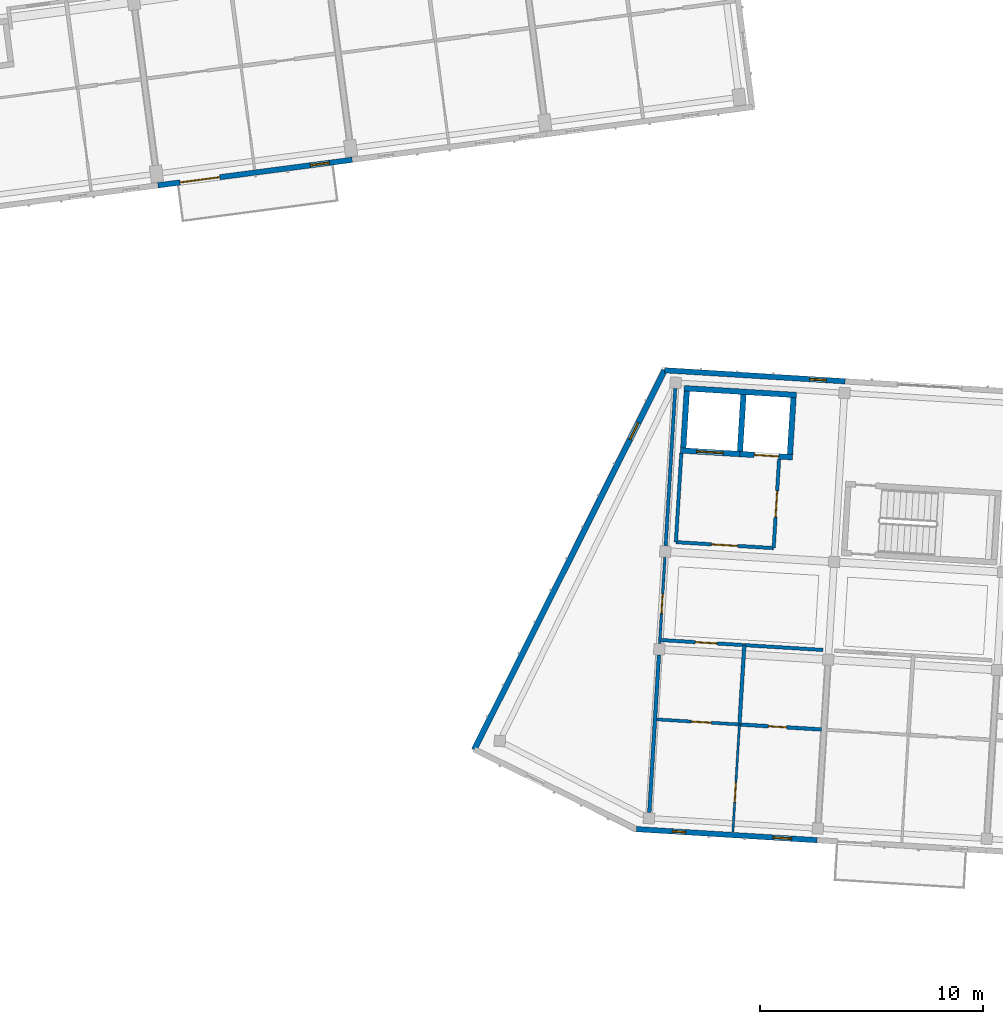
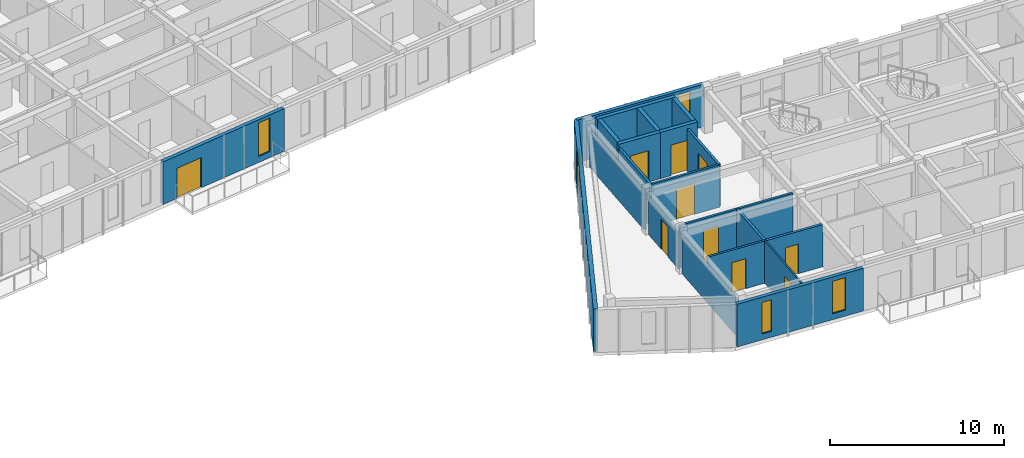
# One storey, part 19 of 74: 21 walls, 10 doors, 5 windows, 15 openings.
"""IFC4 building model written with IfcOpenShell, lengths in metres."""

from ifc_helpers import new_model, si_unit, direction, frame, frame_2d, origin, place, context, subcontext, project, spatial, rectangle, extrude, material, layer, layer_set, type_object, element, fill, save


model = new_model("IFC4")

# Units and contexts
model_context = context("Model", 3, precision=1e-05, world=origin(), true_north=direction((0.0, 1.0)))
body_context = subcontext(model_context, "Body", "Model", "MODEL_VIEW")
ifc_project = project(units=[si_unit("LENGTHUNIT", "METRE"), si_unit("AREAUNIT", "SQUARE_METRE"), si_unit("VOLUMEUNIT", "CUBIC_METRE"), si_unit("PLANEANGLEUNIT", "RADIAN"), si_unit("MASSUNIT", "GRAM", prefix="KILO")], contexts=[model_context])

# Site, building, storey
site_placement = place(None, origin())
site = spatial("IfcSite", under=ifc_project, at=site_placement, CompositionType="ELEMENT")
building_placement = place(site_placement, origin())
building = spatial("IfcBuilding", under=site, at=building_placement, Name="Kestramere Prow Commons", CompositionType="ELEMENT")
storey_placement = place(building_placement, frame((0.0, 0.0, 11.64990234375)))
storey = spatial("IfcBuildingStorey", under=building, at=storey_placement, Name="L03", CompositionType="ELEMENT", Elevation=11.64990234375)

# Wall, opening, window
ifc_material_1 = material(Name="Weathered Zinc-Titanium Standing-Seam Cladding")
ifc_layer_1 = layer(ifc_material_1, 0.260009765625)
ifc_layer_set_1 = layer_set([ifc_layer_1], Name="Weathered Zinc-Titanium Standing-Seam Cladding")
wall_type_1 = type_object("IfcWallType", Name="EW-PROW-260", PredefinedType="SOLIDWALL", material=ifc_layer_set_1)
wall_1_placement = place(storey_placement, frame((51.653564453125, 49.584716796875, 0.0), z_axis=(0.0, 0.0, 1.0), x_axis=(0.448621989068, 0.893721607059, 0.0)))
wall_1 = element("IfcWall", 1, at=wall_1_placement, inside=storey, type_object=wall_type_1, Name="Block C L03 PRW-N Facet Wall", PredefinedType="SOLIDWALL", context=body_context, shape_type="SweptSolid", body=[
    extrude(rectangle(XDim=19.060546875, YDim=0.260009765625, at=frame_2d((9.5302734375, 0.0))), origin(), (0.0, 0.0, 1.0), 3.0),
])
opening_1_placement = place(wall_1_placement, frame((15.59033203125, 0.0, 0.449951171875)))
opening_1 = element("IfcOpeningElement", 2, at=opening_1_placement, cuts=wall_1, Name="Opening WN-14", PredefinedType="OPENING", context=body_context, shape_type="SweptSolid", body=[
    extrude(rectangle(XDim=0.840087890625, YDim=2.280029296875, at=frame_2d((0.419921875, 1.14013671875))), frame((0.0, 0.14501953125, 0.0), z_axis=(0.0, -1.0, 0.0), x_axis=(1.0, 0.0, 0.0)), (0.0, 0.0, 1.0), 0.2900390625),
])
ifc_material_2 = material(Name="Low-E Laminated Double Glazing", Category="glass")
window_type_1 = type_object("IfcWindowType", Name="WN-NAR-840A", PartitioningType="DOUBLE_PANEL_VERTICAL", PredefinedType="WINDOW", material=ifc_material_2)
window_1_placement = place(opening_1_placement, origin())
window_1 = element("IfcWindow", 3, at=window_1_placement, inside=storey, type_object=window_type_1, Name="WN-C-L03-PRW-N-1", OverallHeight=2.280029296875, OverallWidth=0.840087890625, PartitioningType="SINGLE_PANEL", PredefinedType="WINDOW", context=body_context, shape_type="SweptSolid", body=[
    extrude(rectangle(XDim=0.840087890625, YDim=2.280029296875, at=frame_2d((0.419921875, 1.14013671875))), frame((0.0, 0.030029296875, 0.0), z_axis=(0.0, -1.0, 0.0), x_axis=(1.0, 0.0, 0.0)), (0.0, 0.0, 1.0), 0.06005859375),
])
fill(opening_1, window_1)

# Wall, openings, door, window
ifc_material_3 = material(Name="Fluoropolymer Standing-Seam Zinc-Aluminium Cladding", Category="aluminium")
ifc_layer_2 = layer(ifc_material_3, 0.239990234375)
ifc_layer_set_2 = layer_set([ifc_layer_2], Name="Fluoropolymer Standing-Seam Zinc-Aluminium Cladding")
wall_type_2 = type_object("IfcWallType", Name="EW-SEAM-240", PredefinedType="SOLIDWALL", material=ifc_layer_set_2)
wall_2_placement = place(storey_placement, frame((46.16748046875, 76.073974609375, 0.0), z_axis=(0.0, 0.0, 1.0), x_axis=(-0.991444377792, -0.130529865336, 0.0)))
wall_2 = element("IfcWall", 4, at=wall_2_placement, inside=storey, type_object=wall_type_2, Name="Block A L03 South Standing-Seam Wall 4", PredefinedType="SOLIDWALL", context=body_context, shape_type="SweptSolid", body=[
    extrude(rectangle(XDim=8.800048828125, YDim=0.239990234375, at=frame_2d((4.39990234375, 0.0))), origin(), (0.0, 0.0, 1.0), 3.0),
])
opening_2_placement = place(wall_2_placement, frame((5.9970703125, 0.0, 0.0)))
opening_2 = element("IfcOpeningElement", 5, at=opening_2_placement, cuts=wall_2, Name="Opening GD-BAL-02", PredefinedType="OPENING", context=body_context, shape_type="SweptSolid", body=[
    extrude(rectangle(XDim=1.800048828125, YDim=2.1201171875, at=frame_2d((0.89990234375, 1.06005859375))), frame((0.0, 0.135009765625, 0.0), z_axis=(0.0, -1.0, 0.0), x_axis=(1.0, 0.0, 0.0)), (0.0, 0.0, 1.0), 0.27001953125),
])
opening_3_placement = place(wall_2_placement, frame((1.030029296875, 0.0, 0.419921875)))
opening_3 = element("IfcOpeningElement", 6, at=opening_3_placement, cuts=wall_2, Name="Opening WN-15", PredefinedType="OPENING", context=body_context, shape_type="SweptSolid", body=[
    extrude(rectangle(XDim=0.860107421875, YDim=2.360107421875, at=frame_2d((0.43017578125, 1.18017578125))), frame((0.0, 0.135009765625, 0.0), z_axis=(0.0, -1.0, 0.0), x_axis=(1.0, 0.0, 0.0)), (0.0, 0.0, 1.0), 0.27001953125),
])
ifc_material_4 = material(Name="Thermally-Broken Anodised Aluminium Glazed", Category="aluminium")
door_type_1 = type_object("IfcDoorType", Name="GD-BAL-1800", OperationType="SLIDING_TO_LEFT", PredefinedType="DOOR", material=ifc_material_4)
door_1_placement = place(opening_2_placement, origin())
door_1 = element("IfcDoor", 7, at=door_1_placement, inside=storey, type_object=door_type_1, Name="Block A L03 Balcony Door 4", OperationType="SLIDING_TO_LEFT", OverallHeight=2.1201171875, OverallWidth=1.800048828125, PredefinedType="DOOR", context=body_context, shape_type="SweptSolid", body=[
    extrude(rectangle(XDim=1.800048828125, YDim=2.1201171875, at=frame_2d((0.89990234375, 1.06005859375))), frame((0.0, 0.02490234375, 0.0), z_axis=(0.0, -1.0, 0.0), x_axis=(1.0, 0.0, 0.0)), (0.0, 0.0, 1.0), 0.050048828125),
])
fill(opening_2, door_1)
window_type_2 = type_object("IfcWindowType", Name="WN-NAR-860A", PartitioningType="DOUBLE_PANEL_VERTICAL", PredefinedType="WINDOW", material=ifc_material_2)
window_2_placement = place(opening_3_placement, origin())
window_2 = element("IfcWindow", 8, at=window_2_placement, inside=storey, type_object=window_type_2, Name="WN-A-L03-SR-3", OverallHeight=2.360107421875, OverallWidth=0.860107421875, PartitioningType="SINGLE_PANEL", PredefinedType="WINDOW", context=body_context, shape_type="SweptSolid", body=[
    extrude(rectangle(XDim=0.860107421875, YDim=2.360107421875, at=frame_2d((0.43017578125, 1.18017578125))), frame((0.0, 0.030029296875, 0.0), z_axis=(0.0, -1.0, 0.0), x_axis=(1.0, 0.0, 0.0)), (0.0, 0.0, 1.0), 0.06005859375),
])
fill(opening_3, window_2)

# Wall, openings, windows
wall_3_placement = place(storey_placement, frame((67.0537109375, 45.511962890625, 0.0), z_axis=(0.0, 0.0, 1.0), x_axis=(-0.998134248939, 0.061057522844, 0.0)))
wall_3 = element("IfcWall", 9, at=wall_3_placement, inside=storey, type_object=wall_type_2, Name="Block C L03 South Standing-Seam Wall 1", PredefinedType="SOLIDWALL", context=body_context, shape_type="SweptSolid", body=[
    extrude(rectangle(XDim=8.125, YDim=0.239990234375, at=frame_2d((4.0625, 0.0))), origin(), (0.0, 0.0, 1.0), 3.0),
])
opening_4_placement = place(wall_3_placement, frame((1.147216796875, 0.0, 0.419921875)))
opening_4 = element("IfcOpeningElement", 10, at=opening_4_placement, cuts=wall_3, Name="Opening WN-14", PredefinedType="OPENING", context=body_context, shape_type="SweptSolid", body=[
    extrude(rectangle(XDim=0.840087890625, YDim=2.280029296875, at=frame_2d((0.419921875, 1.14013671875))), frame((0.0, 0.135009765625, 0.0), z_axis=(0.0, -1.0, 0.0), x_axis=(1.0, 0.0, 0.0)), (0.0, 0.0, 1.0), 0.27001953125),
])
opening_5_placement = place(wall_3_placement, frame((5.918212890625, 0.0, 0.419921875)))
opening_5 = element("IfcOpeningElement", 11, at=opening_5_placement, cuts=wall_3, Name="Opening WN-02", PredefinedType="OPENING", context=body_context, shape_type="SweptSolid", body=[
    extrude(rectangle(XDim=0.60009765625, YDim=2.219970703125, at=frame_2d((0.300048828125, 1.10986328125))), frame((0.0, 0.135009765625, 0.0), z_axis=(0.0, -1.0, 0.0), x_axis=(1.0, 0.0, 0.0)), (0.0, 0.0, 1.0), 0.27001953125),
])
window_type_3 = type_object("IfcWindowType", Name="WN-NAR-600A", PartitioningType="SINGLE_PANEL", PredefinedType="WINDOW", material=ifc_material_2)
window_3_placement = place(opening_5_placement, origin())
window_3 = element("IfcWindow", 12, at=window_3_placement, inside=storey, type_object=window_type_3, Name="WN-C-L03-S-0-10", OverallHeight=2.219970703125, OverallWidth=0.60009765625, PartitioningType="SINGLE_PANEL", PredefinedType="WINDOW", context=body_context, shape_type="SweptSolid", body=[
    extrude(rectangle(XDim=0.60009765625, YDim=2.219970703125, at=frame_2d((0.300048828125, 1.10986328125))), frame((0.0, 0.030029296875, 0.0), z_axis=(0.0, -1.0, 0.0), x_axis=(1.0, 0.0, 0.0)), (0.0, 0.0, 1.0), 0.06005859375),
])
fill(opening_5, window_3)
window_4_placement = place(opening_4_placement, origin())
window_4 = element("IfcWindow", 13, at=window_4_placement, inside=storey, type_object=window_type_1, Name="WN-C-L03-S-0-00", OverallHeight=2.280029296875, OverallWidth=0.840087890625, PartitioningType="SINGLE_PANEL", PredefinedType="WINDOW", context=body_context, shape_type="SweptSolid", body=[
    extrude(rectangle(XDim=0.840087890625, YDim=2.280029296875, at=frame_2d((0.419921875, 1.14013671875))), frame((0.0, 0.030029296875, 0.0), z_axis=(0.0, -1.0, 0.0), x_axis=(1.0, 0.0, 0.0)), (0.0, 0.0, 1.0), 0.06005859375),
])
fill(opening_4, window_4)

# Wall, opening, window
wall_4_placement = place(storey_placement, frame((60.20458984375, 66.61962890625, 0.0), z_axis=(0.0, 0.0, 1.0), x_axis=(0.998134248939, -0.061057522844, 0.0)))
wall_4 = element("IfcWall", 14, at=wall_4_placement, inside=storey, type_object=wall_type_2, Name="Block C L03 North Standing-Seam Wall 1", PredefinedType="SOLIDWALL", context=body_context, shape_type="SweptSolid", body=[
    extrude(rectangle(XDim=8.125, YDim=0.239990234375, at=frame_2d((4.0625, 0.0))), origin(), (0.0, 0.0, 1.0), 3.0),
])
opening_6_placement = place(wall_4_placement, frame((6.52490234375, 0.0, 0.449951171875)))
opening_6 = element("IfcOpeningElement", 15, at=opening_6_placement, cuts=wall_4, Name="Opening WN-19", PredefinedType="OPENING", context=body_context, shape_type="SweptSolid", body=[
    extrude(rectangle(XDim=0.75, YDim=2.320068359375, at=frame_2d((0.375, 1.16015625))), frame((0.0, 0.135009765625, 0.0), z_axis=(0.0, -1.0, 0.0), x_axis=(1.0, 0.0, 0.0)), (0.0, 0.0, 1.0), 0.27001953125),
])
window_type_4 = type_object("IfcWindowType", Name="WN-CLER-1800", PartitioningType="SINGLE_PANEL", PredefinedType="WINDOW", material=ifc_material_2)
window_5_placement = place(opening_6_placement, origin())
window_5 = element("IfcWindow", 16, at=window_5_placement, inside=storey, type_object=window_type_4, Name="Block C L03 Core Lobby Slot Window", OverallHeight=2.320068359375, OverallWidth=0.75, PartitioningType="SINGLE_PANEL", PredefinedType="WINDOW", context=body_context, shape_type="SweptSolid", body=[
    extrude(rectangle(XDim=0.75, YDim=2.320068359375, at=frame_2d((0.375, 1.16015625))), frame((0.0, 0.030029296875, 0.0), z_axis=(0.0, -1.0, 0.0), x_axis=(1.0, 0.0, 0.0)), (0.0, 0.0, 1.0), 0.06005859375),
])
fill(opening_6, window_5)

# Wall
ifc_material_5 = material(Name="Concrete C40/50", Category="concrete")
ifc_layer_3 = layer(ifc_material_5, 0.25)
ifc_layer_set_3 = layer_set([ifc_layer_3], Name="Concrete C40/50")
wall_type_3 = type_object("IfcWallType", Name="W-CORE-250", PredefinedType="SHEAR", material=ifc_layer_set_3)
wall_5_placement = place(storey_placement, frame((61.08203125, 65.814453125, 0.0), z_axis=(0.0, 0.0, 1.0), x_axis=(0.998134101522, -0.061059932685, 0.0)))
element("IfcWall", 17, at=wall_5_placement, inside=storey, type_object=wall_type_3, Name="Block C L03 Lift Core Back Wall", PredefinedType="SHEAR", context=body_context, shape_type="SweptSolid", body=[
    extrude(rectangle(XDim=5.050048828125, YDim=0.25, at=frame_2d((2.52490234375, 0.0))), origin(), (0.0, 0.0, 1.0), 3.25),
])

# Wall, opening, door
wall_6_placement = place(storey_placement, frame((60.9111328125, 63.019775390625, 0.0), z_axis=(0.0, 0.0, 1.0), x_axis=(0.998134099905, -0.061059959111, 0.0)))
wall_6 = element("IfcWall", 18, at=wall_6_placement, inside=storey, type_object=wall_type_3, Name="Block C L03 Fire Lift Shaft Front Wall", PredefinedType="SHEAR", context=body_context, shape_type="SweptSolid", body=[
    extrude(rectangle(XDim=2.6748046875, YDim=0.25, at=frame_2d((1.33740234375, 0.0))), origin(), (0.0, 0.0, 1.0), 3.25),
])
opening_7_placement = place(wall_6_placement, frame((0.719970703125, 0.0, 0.0)))
opening_7 = element("IfcOpeningElement", 19, at=opening_7_placement, cuts=wall_6, Name="Opening LD-02", PredefinedType="OPENING", context=body_context, shape_type="SweptSolid", body=[
    extrude(rectangle(XDim=1.199951171875, YDim=2.199951171875, at=frame_2d((0.60009765625, 1.10009765625))), frame((0.0, 0.139892578125, 0.0), z_axis=(0.0, -1.0, 0.0), x_axis=(1.0, 0.0, 0.0)), (0.0, 0.0, 1.0), 0.280029296875),
])
ifc_material_6 = material(Name="Brushed Stainless Steel 316", Category="steel")
door_type_2 = type_object("IfcDoorType", Name="LD-02", OperationType="DOUBLE_DOOR_SLIDING", PredefinedType="DOOR", material=ifc_material_6)
door_2_placement = place(opening_7_placement, origin())
door_2 = element("IfcDoor", 20, at=door_2_placement, inside=storey, type_object=door_type_2, Name="FL-C1 L03 Lift Landing Door", OperationType="DOUBLE_DOOR_SLIDING", OverallHeight=2.199951171875, OverallWidth=1.199951171875, PredefinedType="DOOR", context=body_context, shape_type="SweptSolid", body=[
    extrude(rectangle(XDim=1.199951171875, YDim=2.199951171875, at=frame_2d((0.60009765625, 1.10009765625))), frame((0.0, 0.02490234375, 0.0), z_axis=(0.0, -1.0, 0.0), x_axis=(1.0, 0.0, 0.0)), (0.0, 0.0, 1.0), 0.050048828125),
])
fill(opening_7, door_2)

wall_7_placement = place(storey_placement, frame((63.5810546875, 62.8564453125, 0.0), z_axis=(0.0, 0.0, 1.0), x_axis=(0.998134103342, -0.061059902923, 0.0)))
wall_7 = element("IfcWall", 21, at=wall_7_placement, inside=storey, type_object=wall_type_3, Name="Block C L03 Passenger Lift Shaft Front Wall", PredefinedType="SHEAR", context=body_context, shape_type="SweptSolid", body=[
    extrude(rectangle(XDim=2.375, YDim=0.25, at=frame_2d((1.1875, 0.0))), origin(), (0.0, 0.0, 1.0), 3.25),
])
opening_8_placement = place(wall_7_placement, frame((0.64990234375, 0.0, 0.0)))
opening_8 = element("IfcOpeningElement", 22, at=opening_8_placement, cuts=wall_7, Name="Opening LD-01", PredefinedType="OPENING", context=body_context, shape_type="SweptSolid", body=[
    extrude(rectangle(XDim=1.10009765625, YDim=2.14990234375, at=frame_2d((0.550048828125, 1.074951171875))), frame((0.0, 0.139892578125, 0.0), z_axis=(0.0, -1.0, 0.0), x_axis=(1.0, 0.0, 0.0)), (0.0, 0.0, 1.0), 0.280029296875),
])
ifc_material_7 = material(Name="Brushed Stainless Steel 304", Category="steel")
door_type_3 = type_object("IfcDoorType", Name="LD-01", OperationType="DOUBLE_DOOR_SLIDING", PredefinedType="DOOR", material=ifc_material_7)
door_3_placement = place(opening_8_placement, origin())
door_3 = element("IfcDoor", 23, at=door_3_placement, inside=storey, type_object=door_type_3, Name="PL-C2 L03 Lift Landing Door", OperationType="DOUBLE_DOOR_SLIDING", OverallHeight=2.14990234375, OverallWidth=1.10009765625, PredefinedType="DOOR", context=body_context, shape_type="SweptSolid", body=[
    extrude(rectangle(XDim=1.10009765625, YDim=2.14990234375, at=frame_2d((0.550048828125, 1.074951171875))), frame((0.0, 0.02490234375, 0.0), z_axis=(0.0, -1.0, 0.0), x_axis=(1.0, 0.0, 0.0)), (0.0, 0.0, 1.0), 0.050048828125),
])
fill(opening_8, door_3)

# Walls
wall_8_placement = place(storey_placement, frame((61.04345703125, 63.13671875, 0.0), z_axis=(0.0, 0.0, 1.0), x_axis=(0.061078919587, 0.998132939834, 0.0)))
element("IfcWall", 24, at=wall_8_placement, inside=storey, type_object=wall_type_3, Name="Block C L03 Lift Core Side Wall L", PredefinedType="SHEAR", context=body_context, shape_type="SweptSolid", body=[
    extrude(rectangle(XDim=2.55029296875, YDim=0.25, at=frame_2d((1.275146484375, 0.0))), origin(), (0.0, 0.0, 1.0), 3.25),
])
wall_9_placement = place(storey_placement, frame((63.5888671875, 62.981201171875, 0.0), z_axis=(0.0, 0.0, 1.0), x_axis=(0.060989368901, 0.998138415692, 0.0)))
element("IfcWall", 25, at=wall_9_placement, inside=storey, type_object=wall_type_3, Name="Block C L03 Lift Core Side Wall M", PredefinedType="SHEAR", context=body_context, shape_type="SweptSolid", body=[
    extrude(rectangle(XDim=2.5498046875, YDim=0.25, at=frame_2d((1.27490234375, 0.0))), origin(), (0.0, 0.0, 1.0), 3.25),
])
wall_10_placement = place(storey_placement, frame((65.83447265625, 62.84375, 0.0), z_axis=(0.0, 0.0, 1.0), x_axis=(0.061084756616, 0.998132582631, 0.0)))
element("IfcWall", 26, at=wall_10_placement, inside=storey, type_object=wall_type_3, Name="Block C L03 Lift Core Side Wall R", PredefinedType="SHEAR", context=body_context, shape_type="SweptSolid", body=[
    extrude(rectangle(XDim=2.550048828125, YDim=0.25, at=frame_2d((1.27490234375, 0.0))), origin(), (0.0, 0.0, 1.0), 3.25),
])

# Wall, opening, door
ifc_material_8 = material(Name="Fire-Rated Calcium Silicate Wall")
ifc_layer_4 = layer(ifc_material_8, 0.155029296875)
ifc_layer_set_4 = layer_set([ifc_layer_4], Name="Fire-Rated Calcium Silicate Wall")
wall_type_4 = type_object("IfcWallType", Name="W-FIRE-150", PredefinedType="PARTITIONING", material=ifc_layer_set_4)
wall_11_placement = place(storey_placement, frame((60.709228515625, 58.8994140625, 0.0), z_axis=(0.0, 0.0, 1.0), x_axis=(0.998132276607, -0.061089756882, 0.0)))
wall_11 = element("IfcWall", 27, at=wall_11_placement, inside=storey, type_object=wall_type_4, Name="Interior Partition PW-C-L03-FFL-S", PredefinedType="PARTITIONING", context=body_context, shape_type="SweptSolid", body=[
    extrude(rectangle(XDim=4.400146484375, YDim=0.155029296875, at=frame_2d((2.2001953125, 0.0))), origin(), (0.0, 0.0, 1.0), 2.97021484375),
])
opening_9_placement = place(wall_11_placement, frame((1.60009765625, 0.0, 0.0)))
opening_9 = element("IfcOpeningElement", 28, at=opening_9_placement, cuts=wall_11, Name="Opening ID-03", PredefinedType="OPENING", context=body_context, shape_type="SweptSolid", body=[
    extrude(rectangle(XDim=1.179931640625, YDim=2.14990234375, at=frame_2d((0.58984375, 1.074951171875))), frame((0.0, 0.092529296875, 0.0), z_axis=(0.0, -1.0, 0.0), x_axis=(1.0, 0.0, 0.0)), (0.0, 0.0, 1.0), 0.18505859375),
])
ifc_material_9 = material(Name="Fire-Rated Glazed Smoke-Stop Door")
door_type_4 = type_object("IfcDoorType", Name="FD-LB-01", OperationType="NOTDEFINED", PredefinedType="DOOR", material=ifc_material_9)
door_4_placement = place(opening_9_placement, origin())
door_4 = element("IfcDoor", 29, at=door_4_placement, inside=storey, type_object=door_type_4, Name="Interior Door DR-C-L03-FFL", OperationType="SINGLE_SWING_RIGHT", OverallHeight=2.14990234375, OverallWidth=1.179931640625, PredefinedType="DOOR", context=body_context, shape_type="SweptSolid", body=[
    extrude(rectangle(XDim=1.179931640625, YDim=2.14990234375, at=frame_2d((0.58984375, 1.074951171875))), frame((0.0, 0.02490234375, 0.0), z_axis=(0.0, -1.0, 0.0), x_axis=(1.0, 0.0, 0.0)), (0.0, 0.0, 1.0), 0.050048828125),
])
fill(opening_9, door_4)

# Wall
wall_12_placement = place(storey_placement, frame((60.709228515625, 58.8994140625, 0.0), z_axis=(0.0, 0.0, 1.0), x_axis=(0.061036844229, 0.998135513669, 0.0)))
element("IfcWall", 30, at=wall_12_placement, inside=storey, type_object=wall_type_4, Name="Interior Partition PW-C-L03-FFL-W", PredefinedType="PARTITIONING", context=body_context, shape_type="SweptSolid", body=[
    extrude(rectangle(XDim=4.0, YDim=0.155029296875, at=frame_2d((2.0, 0.0))), origin(), (0.0, 0.0, 1.0), 2.97021484375),
])

# Wall, opening, door
wall_13_placement = place(storey_placement, frame((65.10107421875, 58.630615234375, 0.0), z_axis=(0.0, 0.0, 1.0), x_axis=(0.061033125904, 0.99813574104, 0.0)))
wall_13 = element("IfcWall", 31, at=wall_13_placement, inside=storey, type_object=wall_type_4, Name="Interior Partition PW-C-L03-FFL-E", PredefinedType="PARTITIONING", context=body_context, shape_type="SweptSolid", body=[
    extrude(rectangle(XDim=4.000244140625, YDim=0.155029296875, at=frame_2d((2.0, 0.0))), origin(), (0.0, 0.0, 1.0), 2.97021484375),
])
opening_10_placement = place(wall_13_placement, frame((1.39990234375, 0.0, 0.0)))
opening_10 = element("IfcOpeningElement", 32, at=opening_10_placement, cuts=wall_13, Name="Opening ID-03", PredefinedType="OPENING", context=body_context, shape_type="SweptSolid", body=[
    extrude(rectangle(XDim=1.179931640625, YDim=2.14990234375, at=frame_2d((0.58984375, 1.074951171875))), frame((0.0, 0.092529296875, 0.0), z_axis=(0.0, -1.0, 0.0), x_axis=(1.0, 0.0, 0.0)), (0.0, 0.0, 1.0), 0.18505859375),
])
door_5_placement = place(opening_10_placement, origin())
door_5 = element("IfcDoor", 33, at=door_5_placement, inside=storey, type_object=door_type_4, Name="Interior Door DR-C-L03-FFL-PL", OperationType="SINGLE_SWING_LEFT", OverallHeight=2.14990234375, OverallWidth=1.179931640625, PredefinedType="DOOR", context=body_context, shape_type="SweptSolid", body=[
    extrude(rectangle(XDim=1.179931640625, YDim=2.14990234375, at=frame_2d((0.58984375, 1.074951171875))), frame((0.0, 0.02490234375, 0.0), z_axis=(0.0, -1.0, 0.0), x_axis=(1.0, 0.0, 0.0)), (0.0, 0.0, 1.0), 0.050048828125),
])
fill(opening_10, door_5)

wall_14_placement = place(storey_placement, frame((60.0595703125, 54.500732421875, 0.0), z_axis=(0.0, 0.0, 1.0), x_axis=(0.998134543433, -0.06105270843, 0.0)))
wall_14 = element("IfcWall", 34, at=wall_14_placement, inside=storey, type_object=wall_type_4, Name="Interior Partition PW-C-L03-CS-0", PredefinedType="PARTITIONING", context=body_context, shape_type="SweptSolid", body=[
    extrude(rectangle(XDim=7.27001953125, YDim=0.155029296875, at=frame_2d((3.635009765625, 0.0))), origin(), (0.0, 0.0, 1.0), 2.97021484375),
])
opening_11_placement = place(wall_14_placement, frame((1.52001953125, 0.0, 0.0)))
opening_11 = element("IfcOpeningElement", 35, at=opening_11_placement, cuts=wall_14, Name="Opening ID-04", PredefinedType="OPENING", context=body_context, shape_type="SweptSolid", body=[
    extrude(rectangle(XDim=0.97998046875, YDim=2.14990234375, at=frame_2d((0.489990234375, 1.074951171875))), frame((0.0, 0.092529296875, 0.0), z_axis=(0.0, -1.0, 0.0), x_axis=(1.0, 0.0, 0.0)), (0.0, 0.0, 1.0), 0.18505859375),
])
ifc_material_10 = material(Name="Hardwood Fire-Rated Flat Entrance Door", Category="wood")
door_type_5 = type_object("IfcDoorType", Name="FD-ENT-01", OperationType="NOTDEFINED", PredefinedType="DOOR", material=ifc_material_10)
door_6_placement = place(opening_11_placement, origin())
door_6 = element("IfcDoor", 36, at=door_6_placement, inside=storey, type_object=door_type_5, Name="Interior Door DR-C-L03-ENT-S0", OperationType="SINGLE_SWING_RIGHT", OverallHeight=2.14990234375, OverallWidth=0.97998046875, PredefinedType="DOOR", context=body_context, shape_type="SweptSolid", body=[
    extrude(rectangle(XDim=0.97998046875, YDim=2.14990234375, at=frame_2d((0.489990234375, 1.074951171875))), frame((0.0, 0.02490234375, 0.0), z_axis=(0.0, -1.0, 0.0), x_axis=(1.0, 0.0, 0.0)), (0.0, 0.0, 1.0), 0.050048828125),
])
fill(opening_11, door_6)

ifc_material_11 = material(Name="Gypsum Acoustic Drywall")
ifc_layer_5 = layer(ifc_material_11, 0.10009765625)
ifc_layer_set_5 = layer_set([ifc_layer_5], Name="Gypsum Acoustic Drywall")
wall_type_5 = type_object("IfcWallType", Name="W-PART-100", PredefinedType="PARTITIONING", material=ifc_layer_set_5)
wall_15_placement = place(storey_placement, frame((63.26904296875, 45.878662109375, 0.0), z_axis=(0.0, 0.0, 1.0), x_axis=(0.061084424005, 0.998132602986, 0.0)))
wall_15 = element("IfcWall", 37, at=wall_15_placement, inside=storey, type_object=wall_type_5, Name="Interior Partition PW-C-L03-LB-S0", PredefinedType="PARTITIONING", context=body_context, shape_type="SweptSolid", body=[
    extrude(rectangle(XDim=4.840087890625, YDim=0.10009765625, at=frame_2d((2.419921875, 0.0))), origin(), (0.0, 0.0, 1.0), 2.97021484375),
])
opening_12_placement = place(wall_15_placement, frame((1.35009765625, 0.0, 0.0)))
opening_12 = element("IfcOpeningElement", 38, at=opening_12_placement, cuts=wall_15, Name="Opening ID-10", PredefinedType="OPENING", context=body_context, shape_type="SweptSolid", body=[
    extrude(rectangle(XDim=0.8798828125, YDim=2.10009765625, at=frame_2d((0.43994140625, 1.050048828125))), frame((0.0, 0.06494140625, 0.0), z_axis=(0.0, -1.0, 0.0), x_axis=(1.0, 0.0, 0.0)), (0.0, 0.0, 1.0), 0.130126953125),
])
ifc_material_12 = material(Name="Engineered Timber Bedroom Door", Category="wood")
door_type_6 = type_object("IfcDoorType", Name="D-RM-03", OperationType="NOTDEFINED", PredefinedType="DOOR", material=ifc_material_12)
door_7_placement = place(opening_12_placement, origin())
door_7 = element("IfcDoor", 39, at=door_7_placement, inside=storey, type_object=door_type_6, Name="Interior Door DR-C-L03-BED-S0", OperationType="SINGLE_SWING_LEFT", OverallHeight=2.10009765625, OverallWidth=0.8798828125, PredefinedType="DOOR", context=body_context, shape_type="SweptSolid", body=[
    extrude(rectangle(XDim=0.8798828125, YDim=2.10009765625, at=frame_2d((0.43994140625, 1.050048828125))), frame((0.0, 0.02490234375, 0.0), z_axis=(0.0, -1.0, 0.0), x_axis=(1.0, 0.0, 0.0)), (0.0, 0.0, 1.0), 0.050048828125),
])
fill(opening_12, door_7)

ifc_material_13 = material(Name="Lightweight Blockwork and Plaster", Category="masonry")
ifc_layer_6 = layer(ifc_material_13, 0.1201171875)
ifc_layer_set_6 = layer_set([ifc_layer_6], Name="Lightweight Blockwork and Plaster")
wall_type_6 = type_object("IfcWallType", Name="W-PART-120", PredefinedType="PARTITIONING", material=ifc_layer_set_6)
wall_16_placement = place(storey_placement, frame((59.979736328125, 54.345458984375, 0.0), z_axis=(0.0, 0.0, 1.0), x_axis=(0.061101107425, 0.998131581843, 0.0)))
wall_16 = element("IfcWall", 40, at=wall_16_placement, inside=storey, type_object=wall_type_6, Name="Interior Partition PW-C-L03-PROW-ACC", PredefinedType="PARTITIONING", context=body_context, shape_type="SweptSolid", body=[
    extrude(rectangle(XDim=3.8798828125, YDim=0.1201171875, at=frame_2d((1.93994140625, 0.0))), origin(), (0.0, 0.0, 1.0), 2.5),
])
opening_13_placement = place(wall_16_placement, frame((1.35009765625, 0.0, 0.0)))
opening_13 = element("IfcOpeningElement", 41, at=opening_13_placement, cuts=wall_16, Name="Opening ID-10", PredefinedType="OPENING", context=body_context, shape_type="SweptSolid", body=[
    extrude(rectangle(XDim=0.8798828125, YDim=2.10009765625, at=frame_2d((0.43994140625, 1.050048828125))), frame((0.0, 0.074951171875, 0.0), z_axis=(0.0, -1.0, 0.0), x_axis=(1.0, 0.0, 0.0)), (0.0, 0.0, 1.0), 0.150146484375),
])
door_8_placement = place(opening_13_placement, origin())
door_8 = element("IfcDoor", 42, at=door_8_placement, inside=storey, type_object=door_type_6, Name="Interior Door DR-C-L03-PROW", OperationType="SINGLE_SWING_LEFT", OverallHeight=2.10009765625, OverallWidth=0.8798828125, PredefinedType="DOOR", context=body_context, shape_type="SweptSolid", body=[
    extrude(rectangle(XDim=0.8798828125, YDim=2.10009765625, at=frame_2d((0.43994140625, 1.050048828125))), frame((0.0, 0.02490234375, 0.0), z_axis=(0.0, -1.0, 0.0), x_axis=(1.0, 0.0, 0.0)), (0.0, 0.0, 1.0), 0.050048828125),
])
fill(opening_13, door_8)

ifc_material_14 = material(Name="Masonry Compartment Wall", Category="masonry")
ifc_layer_7 = layer(ifc_material_14, 0.139892578125)
ifc_layer_set_7 = layer_set([ifc_layer_7], Name="Masonry Compartment Wall")
wall_type_7 = type_object("IfcWallType", Name="W-PART-140", PredefinedType="PARTITIONING", material=ifc_layer_set_7)
wall_17_placement = place(storey_placement, frame((59.861572265625, 50.936279296875, 0.0), z_axis=(0.0, 0.0, 1.0), x_axis=(0.998133653934, -0.061067248869, 0.0)))
wall_17 = element("IfcWall", 43, at=wall_17_placement, inside=storey, type_object=wall_type_7, Name="Interior Partition PW-C-L03-MIDS1-0", PredefinedType="PARTITIONING", context=body_context, shape_type="SweptSolid", body=[
    extrude(rectangle(XDim=3.7099609375, YDim=0.139892578125, at=frame_2d((1.85498046875, 0.0))), origin(), (0.0, 0.0, 1.0), 2.97021484375),
])
opening_14_placement = place(wall_17_placement, frame((1.550048828125, 0.0, 0.0)))
opening_14 = element("IfcOpeningElement", 44, at=opening_14_placement, cuts=wall_17, Name="Opening ID-08", PredefinedType="OPENING", context=body_context, shape_type="SweptSolid", body=[
    extrude(rectangle(XDim=0.89990234375, YDim=2.10009765625, at=frame_2d((0.449951171875, 1.050048828125))), frame((0.0, 0.0849609375, 0.0), z_axis=(0.0, -1.0, 0.0), x_axis=(1.0, 0.0, 0.0)), (0.0, 0.0, 1.0), 0.169921875),
])
ifc_material_15 = material(Name="Engineered Timber Flush Door", Category="wood")
door_type_7 = type_object("IfcDoorType", Name="D-RM-01", OperationType="NOTDEFINED", PredefinedType="DOOR", material=ifc_material_15)
door_9_placement = place(opening_14_placement, origin())
door_9 = element("IfcDoor", 45, at=door_9_placement, inside=storey, type_object=door_type_7, Name="Interior Door DR-C-L03-KL-S0", OperationType="SINGLE_SWING_RIGHT", OverallHeight=2.10009765625, OverallWidth=0.89990234375, PredefinedType="DOOR", context=body_context, shape_type="SweptSolid", body=[
    extrude(rectangle(XDim=0.89990234375, YDim=2.10009765625, at=frame_2d((0.449951171875, 1.050048828125))), frame((0.0, 0.02490234375, 0.0), z_axis=(0.0, -1.0, 0.0), x_axis=(1.0, 0.0, 0.0)), (0.0, 0.0, 1.0), 0.050048828125),
])
fill(opening_14, door_9)

# Walls
ifc_layer_8 = layer(ifc_material_14, 0.14990234375)
ifc_layer_set_8 = layer_set([ifc_layer_8], Name="Masonry Compartment Wall")
wall_type_8 = type_object("IfcWallType", Name="W-PART-150", PredefinedType="PARTITIONING", material=ifc_layer_set_8)
wall_18_placement = place(storey_placement, frame((60.24853515625, 58.737060546875, 0.0), z_axis=(0.0, 0.0, 1.0), x_axis=(0.061034344288, 0.998135666539, 0.0)))
element("IfcWall", 46, at=wall_18_placement, inside=storey, type_object=wall_type_8, Name="Interior Partition PW-C-L03-PRW-N", PredefinedType="PARTITIONING", context=body_context, shape_type="SweptSolid", body=[
    extrude(rectangle(XDim=7.080078125, YDim=0.14990234375, at=frame_2d((3.5400390625, 0.0))), origin(), (0.0, 0.0, 1.0), 2.5),
])
ifc_material_16 = material(Name="Waterproof Sanitary Masonry Wall", Category="masonry")
ifc_layer_9 = layer(ifc_material_16, 0.1650390625)
ifc_layer_set_9 = layer_set([ifc_layer_9], Name="Waterproof Sanitary Masonry Wall")
wall_type_9 = type_object("IfcWallType", Name="W-PLUMB-150", PredefinedType="PLUMBINGWALL", material=ifc_layer_set_9)
wall_19_placement = place(storey_placement, frame((59.515869140625, 46.759521484375, 0.0), z_axis=(0.0, 0.0, 1.0), x_axis=(0.061034344288, 0.998135666539, 0.0)))
element("IfcWall", 47, at=wall_19_placement, inside=storey, type_object=wall_type_9, Name="Interior Partition PW-C-L03-PRWW-S", PredefinedType="PLUMBINGWALL", context=body_context, shape_type="SweptSolid", body=[
    extrude(rectangle(XDim=7.080078125, YDim=0.1650390625, at=frame_2d((3.5400390625, 0.0))), origin(), (0.0, 0.0, 1.0), 2.5),
])

# Wall, opening, door
wall_20_placement = place(storey_placement, frame((63.564697265625, 50.709716796875, 0.0), z_axis=(0.0, 0.0, 1.0), x_axis=(0.998136472989, -0.061021154439, 0.0)))
wall_20 = element("IfcWall", 48, at=wall_20_placement, inside=storey, type_object=wall_type_9, Name="Interior Partition PW-C-L03-MIDS2-0", PredefinedType="PLUMBINGWALL", context=body_context, shape_type="SweptSolid", body=[
    extrude(rectangle(XDim=3.684814453125, YDim=0.1650390625, at=frame_2d((1.84228515625, 0.0))), origin(), (0.0, 0.0, 1.0), 2.97021484375),
])
opening_15_placement = place(wall_20_placement, frame((1.300048828125, 0.0, 0.0)))
opening_15 = element("IfcOpeningElement", 49, at=opening_15_placement, cuts=wall_20, Name="Opening ID-11", PredefinedType="OPENING", context=body_context, shape_type="SweptSolid", body=[
    extrude(rectangle(XDim=0.820068359375, YDim=2.080078125, at=frame_2d((0.41015625, 1.0400390625))), frame((0.0, 0.097412109375, 0.0), z_axis=(0.0, -1.0, 0.0), x_axis=(1.0, 0.0, 0.0)), (0.0, 0.0, 1.0), 0.195068359375),
])
ifc_material_17 = material(Name="Moisture-Resistant Timber Bathroom Door", Category="wood")
door_type_8 = type_object("IfcDoorType", Name="D-BT-01", OperationType="NOTDEFINED", PredefinedType="DOOR", material=ifc_material_17)
door_10_placement = place(opening_15_placement, origin())
door_10 = element("IfcDoor", 50, at=door_10_placement, inside=storey, type_object=door_type_8, Name="Interior Door DR-C-L03-BTH-S0", OperationType="SINGLE_SWING_LEFT", OverallHeight=2.080078125, OverallWidth=0.820068359375, PredefinedType="DOOR", context=body_context, shape_type="SweptSolid", body=[
    extrude(rectangle(XDim=0.820068359375, YDim=2.080078125, at=frame_2d((0.41015625, 1.0400390625))), frame((0.0, 0.02490234375, 0.0), z_axis=(0.0, -1.0, 0.0), x_axis=(1.0, 0.0, 0.0)), (0.0, 0.0, 1.0), 0.050048828125),
])
fill(opening_15, door_10)

# Wall
wall_21_placement = place(storey_placement, frame((63.564697265625, 50.709716796875, 0.0), z_axis=(0.0, 0.0, 1.0), x_axis=(0.06100299582, 0.998137582952, 0.0)))
element("IfcWall", 51, at=wall_21_placement, inside=storey, type_object=wall_type_9, Name="Interior Partition PW-C-L03-KB-S0", PredefinedType="PLUMBINGWALL", context=body_context, shape_type="SweptSolid", body=[
    extrude(rectangle(XDim=3.56982421875, YDim=0.1650390625, at=frame_2d((1.784912109375, 0.0))), origin(), (0.0, 0.0, 1.0), 2.97021484375),
])

save(model, "model.ifc")
